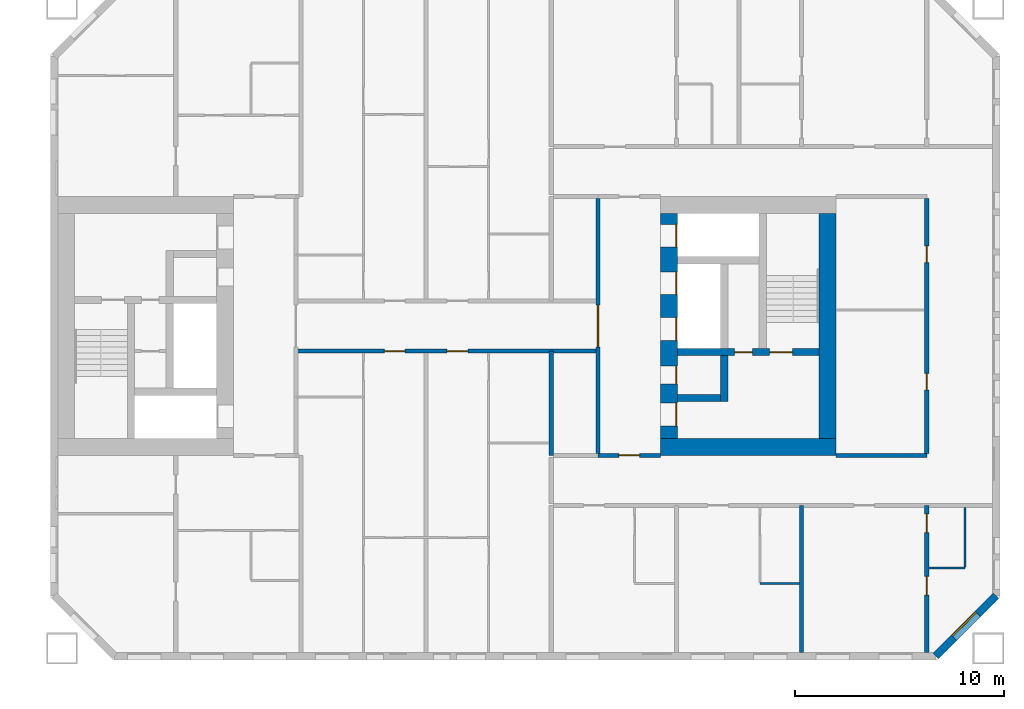
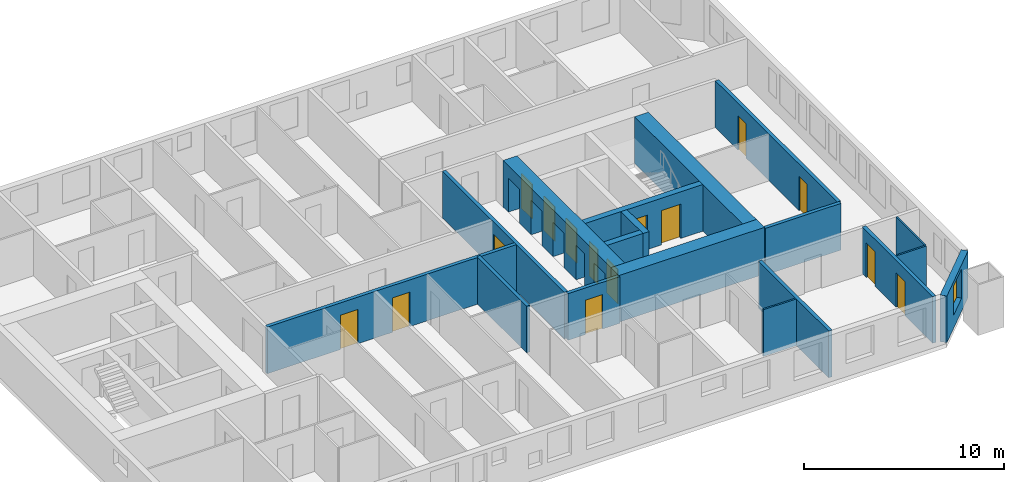
# One storey, part 14 of 19: 18 walls, 15 doors, 1 window, 16 openings.
"""IFC4 building model written with IfcOpenShell, lengths in metres."""

from ifc_helpers import new_model, si_unit, direction, frame, frame_2d, origin, place, context, subcontext, project, spatial, rectangle, extrude, material, layer, layer_set, type_object, element, fill, save


model = new_model("IFC4")

# Units and contexts
model_context = context("Model", 3, precision=1e-05, world=origin(), true_north=direction((0.0, 1.0)))
body_context = subcontext(model_context, "Body", "Model", "MODEL_VIEW")
ifc_project = project(units=[si_unit("LENGTHUNIT", "METRE"), si_unit("AREAUNIT", "SQUARE_METRE"), si_unit("VOLUMEUNIT", "CUBIC_METRE"), si_unit("PLANEANGLEUNIT", "RADIAN"), si_unit("MASSUNIT", "GRAM", prefix="KILO")], contexts=[model_context])

# Site, building, storey
site_placement = place(None, origin())
site = spatial("IfcSite", under=ifc_project, at=site_placement, CompositionType="ELEMENT")
building_placement = place(site_placement, origin())
building = spatial("IfcBuilding", under=site, at=building_placement, Name="Tuart Gate Housing", CompositionType="ELEMENT")
storey_placement = place(building_placement, frame((0.0, 0.0, 56.699951171875)))
storey = spatial("IfcBuildingStorey", under=building, at=storey_placement, Name="L15", CompositionType="ELEMENT", Elevation=56.699951171875)

# Wall, opening, window
ifc_material_1 = material(Name="Brick", Category="masonry")
ifc_layer_1 = layer(ifc_material_1, 0.360107421875)
ifc_layer_set_1 = layer_set([ifc_layer_1], Name="Brick pier and spandrel wall 360")
wall_type_1 = type_object("IfcWallType", Name="Brick pier and spandrel wall 360", PredefinedType="STANDARD", material=ifc_layer_set_1)
wall_1_placement = place(storey_placement, frame((173.42529296875, 54.179931640625, 0.0), z_axis=(0.0, 0.0, 1.0), x_axis=(0.707106781187, 0.707106781187, 0.0)))
wall_1 = element("IfcWall", 1, at=wall_1_placement, inside=storey, type_object=wall_type_1, Name="External wall B-SE L15", PredefinedType="STANDARD", context=body_context, shape_type="SweptSolid", body=[
    extrude(rectangle(XDim=4.09375, YDim=0.360107421875, at=frame_2d((2.046875, 0.0))), origin(), (0.0, 0.0, 1.0), 2.85009765625),
])
opening_1_placement = place(wall_1_placement, frame((1.2470703125, 0.0, 0.800048828125)))
opening_1 = element("IfcOpeningElement", 2, at=opening_1_placement, cuts=wall_1, Name="Opening W1", PredefinedType="OPENING", context=body_context, shape_type="SweptSolid", body=[
    extrude(rectangle(XDim=1.60009765625, YDim=1.800048828125, at=frame_2d((0.800048828125, 0.89990234375))), frame((0.0, 0.18994140625, 0.0), z_axis=(0.0, -1.0, 0.0), x_axis=(1.0, 0.0, 0.0)), (0.0, 0.0, 1.0), 0.380126953125),
])
ifc_material_2 = material(Name="Aluminium frame with clear glass", Category="aluminium")
window_type = type_object("IfcWindowType", Name="Punched window 1600 x 1800", PartitioningType="SINGLE_PANEL", PredefinedType="WINDOW", material=ifc_material_2)
window_placement = place(opening_1_placement, origin())
window = element("IfcWindow", 3, at=window_placement, inside=storey, type_object=window_type, Name="Window W1", OverallHeight=1.800048828125, OverallWidth=1.60009765625, PartitioningType="SINGLE_PANEL", PredefinedType="WINDOW", context=body_context, shape_type="SweptSolid", body=[
    extrude(rectangle(XDim=1.60009765625, YDim=1.800048828125, at=frame_2d((0.800048828125, 0.89990234375))), frame((0.0, 0.150146484375, 0.0), z_axis=(0.0, -1.0, 0.0), x_axis=(1.0, 0.0, 0.0)), (0.0, 0.0, 1.0), 0.06005859375),
])
fill(opening_1, window)

# Wall, openings, doors
ifc_material_3 = material(Name="Concrete C60", Category="concrete")
ifc_layer_2 = layer(ifc_material_3, 0.35009765625)
ifc_layer_set_2 = layer_set([ifc_layer_2], Name="Core wall 350 C60")
wall_type_2 = type_object("IfcWallType", Name="Core wall 350 C60", PredefinedType="SHEAR", material=ifc_layer_set_2)
wall_2_placement = place(storey_placement, frame((161.0400390625, 68.75, 0.0), z_axis=(0.0, 0.0, 1.0), x_axis=(1.0, 0.0, 0.0)))
wall_2 = element("IfcWall", 4, at=wall_2_placement, inside=storey, type_object=wall_type_2, Name="Core wall BK.2", PredefinedType="SHEAR", context=body_context, shape_type="SweptSolid", body=[
    extrude(rectangle(XDim=6.800048828125, YDim=0.35009765625, at=frame_2d((3.39990234375, 0.0))), origin(), (0.0, 0.0, 1.0), 2.85009765625),
])
opening_2_placement = place(wall_2_placement, frame((4.425048828125, 0.0, 0.0)))
opening_2 = element("IfcOpeningElement", 5, at=opening_2_placement, cuts=wall_2, Name="Opening D813", PredefinedType="OPENING", context=body_context, shape_type="SweptSolid", body=[
    extrude(rectangle(XDim=1.10009765625, YDim=2.10009765625, at=frame_2d((0.550048828125, 1.050048828125))), frame((0.0, 0.18505859375, 0.0), z_axis=(0.0, -1.0, 0.0), x_axis=(1.0, 0.0, 0.0)), (0.0, 0.0, 1.0), 0.3701171875),
])
opening_3_placement = place(wall_2_placement, frame((2.75, 0.0, 0.0)))
opening_3 = element("IfcOpeningElement", 6, at=opening_3_placement, cuts=wall_2, Name="Opening D812", PredefinedType="OPENING", context=body_context, shape_type="SweptSolid", body=[
    extrude(rectangle(XDim=0.85009765625, YDim=2.10009765625, at=frame_2d((0.425048828125, 1.050048828125))), frame((0.0, 0.18505859375, 0.0), z_axis=(0.0, -1.0, 0.0), x_axis=(1.0, 0.0, 0.0)), (0.0, 0.0, 1.0), 0.3701171875),
])
ifc_material_4 = material(Name="Steel fire door", Category="steel")
door_type_1 = type_object("IfcDoorType", Name="Riser door 850 x 2100", OperationType="SINGLE_SWING_LEFT", PredefinedType="DOOR", material=ifc_material_4)
door_1_placement = place(opening_3_placement, origin())
door_1 = element("IfcDoor", 7, at=door_1_placement, inside=storey, type_object=door_type_1, Name="Service room door BK.W1", OperationType="SINGLE_SWING_LEFT", OverallHeight=2.10009765625, OverallWidth=0.85009765625, PredefinedType="DOOR", context=body_context, shape_type="SweptSolid", body=[
    extrude(rectangle(XDim=0.85009765625, YDim=2.10009765625, at=frame_2d((0.425048828125, 1.050048828125))), frame((0.0, 0.02490234375, 0.0), z_axis=(0.0, -1.0, 0.0), x_axis=(1.0, 0.0, 0.0)), (0.0, 0.0, 1.0), 0.050048828125),
])
fill(opening_3, door_1)
ifc_material_5 = material(Name="Steel fire door", Category="steel")
door_type_2 = type_object("IfcDoorType", Name="Stair door 1100 x 2100", OperationType="SINGLE_SWING_LEFT", PredefinedType="DOOR", material=ifc_material_5)
door_2_placement = place(opening_2_placement, origin())
door_2 = element("IfcDoor", 8, at=door_2_placement, inside=storey, type_object=door_type_2, Name="Stair door BK.SD", OperationType="SINGLE_SWING_LEFT", OverallHeight=2.10009765625, OverallWidth=1.10009765625, PredefinedType="DOOR", context=body_context, shape_type="SweptSolid", body=[
    extrude(rectangle(XDim=1.10009765625, YDim=2.10009765625, at=frame_2d((0.550048828125, 1.050048828125))), frame((0.0, 0.02490234375, 0.0), z_axis=(0.0, -1.0, 0.0), x_axis=(1.0, 0.0, 0.0)), (0.0, 0.0, 1.0), 0.050048828125),
])
fill(opening_2, door_2)

# Walls
wall_3_placement = place(storey_placement, frame((161.0400390625, 66.550048828125, 0.0), z_axis=(0.0, 0.0, 1.0), x_axis=(1.0, 0.0, 0.0)))
element("IfcWall", 9, at=wall_3_placement, inside=storey, type_object=wall_type_2, Name="Core wall BK.3", PredefinedType="SHEAR", context=body_context, shape_type="SweptSolid", body=[
    extrude(rectangle(XDim=2.074951171875, YDim=0.35009765625, at=frame_2d((1.03759765625, 0.0))), origin(), (0.0, 0.0, 1.0), 2.85009765625),
])
wall_4_placement = place(storey_placement, frame((163.2900390625, 68.574951171875, 0.0), z_axis=(0.0, 0.0, 1.0), x_axis=(0.0, -1.0, 0.0)))
element("IfcWall", 10, at=wall_4_placement, inside=storey, type_object=wall_type_2, Name="Core wall BK.5", PredefinedType="SHEAR", context=body_context, shape_type="SweptSolid", body=[
    extrude(rectangle(XDim=2.199951171875, YDim=0.35009765625, at=frame_2d((1.10009765625, 0.0))), origin(), (0.0, 0.0, 1.0), 2.85009765625),
])

# Wall, openings, doors
ifc_material_6 = material(Name="Concrete C60", Category="concrete")
ifc_layer_3 = layer(ifc_material_6, 0.800048828125)
ifc_layer_set_3 = layer_set([ifc_layer_3], Name="Core wall 800 C60")
wall_type_3 = type_object("IfcWallType", Name="Core wall 800 C60", PredefinedType="SHEAR", material=ifc_layer_set_3)
wall_5_placement = place(storey_placement, frame((160.639892578125, 75.39990234375, 0.0), z_axis=(0.0, 0.0, 1.0), x_axis=(0.0, -1.0, 0.0)))
wall_5 = element("IfcWall", 11, at=wall_5_placement, inside=storey, type_object=wall_type_3, Name="Core wall BK front", PredefinedType="SHEAR", context=body_context, shape_type="SweptSolid", body=[
    extrude(rectangle(XDim=10.7998046875, YDim=0.800048828125, at=frame_2d((5.39990234375, 0.0))), origin(), (0.0, 0.0, 1.0), 2.85009765625),
])
opening_4_placement = place(wall_5_placement, frame((0.52490234375, 0.0, 0.0)))
opening_4 = element("IfcOpeningElement", 12, at=opening_4_placement, cuts=wall_5, Name="Opening LD-FB2", PredefinedType="OPENING", context=body_context, shape_type="SweptSolid", body=[
    extrude(rectangle(XDim=1.10009765625, YDim=2.10009765625, at=frame_2d((0.550048828125, 1.050048828125))), frame((0.0, 0.409912109375, 0.0), z_axis=(0.0, -1.0, 0.0), x_axis=(1.0, 0.0, 0.0)), (0.0, 0.0, 1.0), 0.820068359375),
])
opening_5_placement = place(wall_5_placement, frame((2.800048828125, 0.0, 0.0)))
opening_5 = element("IfcOpeningElement", 13, at=opening_5_placement, cuts=wall_5, Name="Opening LD-LB3", PredefinedType="OPENING", context=body_context, shape_type="SweptSolid", body=[
    extrude(rectangle(XDim=1.10009765625, YDim=2.10009765625, at=frame_2d((0.550048828125, 1.050048828125))), frame((0.0, 0.409912109375, 0.0), z_axis=(0.0, -1.0, 0.0), x_axis=(1.0, 0.0, 0.0)), (0.0, 0.0, 1.0), 0.820068359375),
])
opening_6_placement = place(wall_5_placement, frame((5.0, 0.0, 0.0)))
opening_6 = element("IfcOpeningElement", 14, at=opening_6_placement, cuts=wall_5, Name="Opening LD-LB4", PredefinedType="OPENING", context=body_context, shape_type="SweptSolid", body=[
    extrude(rectangle(XDim=1.10009765625, YDim=2.10009765625, at=frame_2d((0.550048828125, 1.050048828125))), frame((0.0, 0.409912109375, 0.0), z_axis=(0.0, -1.0, 0.0), x_axis=(1.0, 0.0, 0.0)), (0.0, 0.0, 1.0), 0.820068359375),
])
opening_7_placement = place(wall_5_placement, frame((9.10009765625, 0.0, 0.0)))
opening_7 = element("IfcOpeningElement", 15, at=opening_7_placement, cuts=wall_5, Name="Opening D805", PredefinedType="OPENING", context=body_context, shape_type="SweptSolid", body=[
    extrude(rectangle(XDim=1.10009765625, YDim=2.10009765625, at=frame_2d((0.550048828125, 1.050048828125))), frame((0.0, 0.409912109375, 0.0), z_axis=(0.0, -1.0, 0.0), x_axis=(1.0, 0.0, 0.0)), (0.0, 0.0, 1.0), 0.820068359375),
])
opening_8_placement = place(wall_5_placement, frame((7.324951171875, 0.0, 0.0)))
opening_8 = element("IfcOpeningElement", 16, at=opening_8_placement, cuts=wall_5, Name="Opening D806", PredefinedType="OPENING", context=body_context, shape_type="SweptSolid", body=[
    extrude(rectangle(XDim=0.85009765625, YDim=2.10009765625, at=frame_2d((0.425048828125, 1.050048828125))), frame((0.0, 0.409912109375, 0.0), z_axis=(0.0, -1.0, 0.0), x_axis=(1.0, 0.0, 0.0)), (0.0, 0.0, 1.0), 0.820068359375),
])
ifc_material_7 = material(Name="Stainless steel", Category="steel")
door_type_3 = type_object("IfcDoorType", Name="Landing door 1100 x 2100", OperationType="DOUBLE_DOOR_SLIDING", PredefinedType="DOOR", material=ifc_material_7)
door_3_placement = place(opening_4_placement, origin())
door_3 = element("IfcDoor", 17, at=door_3_placement, inside=storey, type_object=door_type_3, Name="Lift landing door FB2", OperationType="DOUBLE_DOOR_SLIDING", OverallHeight=2.10009765625, OverallWidth=1.10009765625, PredefinedType="DOOR", context=body_context, shape_type="SweptSolid", body=[
    extrude(rectangle(XDim=1.10009765625, YDim=2.10009765625, at=frame_2d((0.550048828125, 1.050048828125))), frame((0.0, 0.38525390625, 0.0), z_axis=(0.0, -1.0, 0.0), x_axis=(1.0, 0.0, 0.0)), (0.0, 0.0, 1.0), 0.050048828125),
])
fill(opening_4, door_3)
door_4_placement = place(opening_5_placement, origin())
door_4 = element("IfcDoor", 18, at=door_4_placement, inside=storey, type_object=door_type_3, Name="Lift landing door LB3", OperationType="DOUBLE_DOOR_SLIDING", OverallHeight=2.10009765625, OverallWidth=1.10009765625, PredefinedType="DOOR", context=body_context, shape_type="SweptSolid", body=[
    extrude(rectangle(XDim=1.10009765625, YDim=2.10009765625, at=frame_2d((0.550048828125, 1.050048828125))), frame((0.0, 0.38525390625, 0.0), z_axis=(0.0, -1.0, 0.0), x_axis=(1.0, 0.0, 0.0)), (0.0, 0.0, 1.0), 0.050048828125),
])
fill(opening_5, door_4)
door_5_placement = place(opening_6_placement, origin())
door_5 = element("IfcDoor", 19, at=door_5_placement, inside=storey, type_object=door_type_3, Name="Lift landing door LB4", OperationType="DOUBLE_DOOR_SLIDING", OverallHeight=2.10009765625, OverallWidth=1.10009765625, PredefinedType="DOOR", context=body_context, shape_type="SweptSolid", body=[
    extrude(rectangle(XDim=1.10009765625, YDim=2.10009765625, at=frame_2d((0.550048828125, 1.050048828125))), frame((0.0, 0.38525390625, 0.0), z_axis=(0.0, -1.0, 0.0), x_axis=(1.0, 0.0, 0.0)), (0.0, 0.0, 1.0), 0.050048828125),
])
fill(opening_6, door_5)
ifc_material_8 = material(Name="Steel fire door", Category="steel")
door_type_4 = type_object("IfcDoorType", Name="Lobby door 1100 x 2100", OperationType="SINGLE_SWING_LEFT", PredefinedType="DOOR", material=ifc_material_8)
door_6_placement = place(opening_7_placement, origin())
door_6 = element("IfcDoor", 20, at=door_6_placement, inside=storey, type_object=door_type_4, Name="Lobby entry door BK.EN", OperationType="SINGLE_SWING_LEFT", OverallHeight=2.10009765625, OverallWidth=1.10009765625, PredefinedType="DOOR", context=body_context, shape_type="SweptSolid", body=[
    extrude(rectangle(XDim=1.10009765625, YDim=2.10009765625, at=frame_2d((0.550048828125, 1.050048828125))), frame((0.0, 0.38525390625, 0.0), z_axis=(0.0, -1.0, 0.0), x_axis=(1.0, 0.0, 0.0)), (0.0, 0.0, 1.0), 0.050048828125),
])
fill(opening_7, door_6)
ifc_material_9 = material(Name="Steel fire door", Category="steel")
door_type_5 = type_object("IfcDoorType", Name="Service door 850 x 2100", OperationType="SINGLE_SWING_LEFT", PredefinedType="DOOR", material=ifc_material_9)
door_7_placement = place(opening_8_placement, origin())
door_7 = element("IfcDoor", 21, at=door_7_placement, inside=storey, type_object=door_type_5, Name="Service room door BK.T1", OperationType="SINGLE_SWING_LEFT", OverallHeight=2.10009765625, OverallWidth=0.85009765625, PredefinedType="DOOR", context=body_context, shape_type="SweptSolid", body=[
    extrude(rectangle(XDim=0.85009765625, YDim=2.10009765625, at=frame_2d((0.425048828125, 1.050048828125))), frame((0.0, 0.38525390625, 0.0), z_axis=(0.0, -1.0, 0.0), x_axis=(1.0, 0.0, 0.0)), (0.0, 0.0, 1.0), 0.050048828125),
])
fill(opening_8, door_7)

# Walls
wall_6_placement = place(storey_placement, frame((168.239990234375, 75.39990234375, 0.0), z_axis=(0.0, 0.0, 1.0), x_axis=(0.0, -1.0, 0.0)))
element("IfcWall", 22, at=wall_6_placement, inside=storey, type_object=wall_type_3, Name="Core wall BK back", PredefinedType="SHEAR", context=body_context, shape_type="SweptSolid", body=[
    extrude(rectangle(XDim=10.7998046875, YDim=0.800048828125, at=frame_2d((5.39990234375, 0.0))), origin(), (0.0, 0.0, 1.0), 2.85009765625),
])
wall_7_placement = place(storey_placement, frame((160.239990234375, 64.199951171875, 0.0), z_axis=(0.0, 0.0, 1.0), x_axis=(1.0, 0.0, 0.0)))
element("IfcWall", 23, at=wall_7_placement, inside=storey, type_object=wall_type_3, Name="Core wall BK north", PredefinedType="SHEAR", context=body_context, shape_type="SweptSolid", body=[
    extrude(rectangle(XDim=8.39990234375, YDim=0.800048828125, at=frame_2d((4.199951171875, 0.0))), origin(), (0.0, 0.0, 1.0), 2.85009765625),
])
ifc_material_10 = material(Name="Concrete masonry 15 MPa", Category="masonry")
ifc_layer_4 = layer(ifc_material_10, 0.199951171875)
ifc_layer_set_4 = layer_set([ifc_layer_4], Name="Corridor wall masonry 200")
wall_type_4 = type_object("IfcWallType", Name="Corridor wall masonry 200", PredefinedType="PARTITIONING", material=ifc_layer_set_4)
wall_8_placement = place(storey_placement, frame((168.639892578125, 63.800048828125, 0.0), z_axis=(0.0, 0.0, 1.0), x_axis=(1.0, 0.0, 0.0)))
element("IfcWall", 24, at=wall_8_placement, inside=storey, type_object=wall_type_4, Name="Corridor wall masonry 200", PredefinedType="PARTITIONING", context=body_context, shape_type="SweptSolid", body=[
    extrude(rectangle(XDim=4.360107421875, YDim=0.199951171875, at=frame_2d((2.18017578125, 0.0))), origin(), (0.0, 0.0, 1.0), 2.85009765625),
])

# Wall, openings, doors
wall_9_placement = place(storey_placement, frame((142.760009765625, 68.800048828125, 0.0), z_axis=(0.0, 0.0, 1.0), x_axis=(1.0, 0.0, 0.0)))
wall_9 = element("IfcWall", 25, at=wall_9_placement, inside=storey, type_object=wall_type_4, Name="Corridor wall masonry 200", PredefinedType="PARTITIONING", context=body_context, shape_type="SweptSolid", body=[
    extrude(rectangle(XDim=14.47998046875, YDim=0.199951171875, at=frame_2d((7.239990234375, 0.0))), origin(), (0.0, 0.0, 1.0), 2.85009765625),
])
opening_9_placement = place(wall_9_placement, frame((4.239990234375, 0.0, 0.0)))
opening_9 = element("IfcOpeningElement", 26, at=opening_9_placement, cuts=wall_9, Name="Opening D810", PredefinedType="OPENING", context=body_context, shape_type="SweptSolid", body=[
    extrude(rectangle(XDim=1.0, YDim=2.10009765625, at=frame_2d((0.5, 1.050048828125))), frame((0.0, 0.10986328125, 0.0), z_axis=(0.0, -1.0, 0.0), x_axis=(1.0, 0.0, 0.0)), (0.0, 0.0, 1.0), 0.219970703125),
])
opening_10_placement = place(wall_9_placement, frame((7.239990234375, 0.0, 0.0)))
opening_10 = element("IfcOpeningElement", 27, at=opening_10_placement, cuts=wall_9, Name="Opening D811", PredefinedType="OPENING", context=body_context, shape_type="SweptSolid", body=[
    extrude(rectangle(XDim=1.0, YDim=2.10009765625, at=frame_2d((0.5, 1.050048828125))), frame((0.0, 0.10986328125, 0.0), z_axis=(0.0, -1.0, 0.0), x_axis=(1.0, 0.0, 0.0)), (0.0, 0.0, 1.0), 0.219970703125),
])
ifc_material_11 = material(Name="Timber door leaf in steel frame", Category="steel")
door_type_6 = type_object("IfcDoorType", Name="Flat entrance door 1000 RH", OperationType="SINGLE_SWING_RIGHT", PredefinedType="DOOR", material=ifc_material_11)
door_8_placement = place(opening_9_placement, frame((1.0, 0.0, 0.0), z_axis=(0.0, 0.0, 1.0), x_axis=(-1.0, 0.0, 0.0)))
door_8 = element("IfcDoor", 28, at=door_8_placement, inside=storey, type_object=door_type_6, Name="Flat entrance door", OperationType="SINGLE_SWING_RIGHT", OverallHeight=2.10009765625, OverallWidth=1.0, PredefinedType="DOOR", context=body_context, shape_type="SweptSolid", body=[
    extrude(rectangle(XDim=1.0, YDim=2.10009765625, at=frame_2d((0.5, 1.050048828125))), frame((0.0, 0.025146484375, 0.0), z_axis=(0.0, -1.0, 0.0), x_axis=(1.0, 0.0, 0.0)), (0.0, 0.0, 1.0), 0.050048828125),
])
fill(opening_9, door_8)
door_9_placement = place(opening_10_placement, frame((1.0, 0.0, 0.0), z_axis=(0.0, 0.0, 1.0), x_axis=(-1.0, 0.0, 0.0)))
door_9 = element("IfcDoor", 29, at=door_9_placement, inside=storey, type_object=door_type_6, Name="Flat entrance door", OperationType="SINGLE_SWING_RIGHT", OverallHeight=2.10009765625, OverallWidth=1.0, PredefinedType="DOOR", context=body_context, shape_type="SweptSolid", body=[
    extrude(rectangle(XDim=1.0, YDim=2.10009765625, at=frame_2d((0.5, 1.050048828125))), frame((0.0, 0.025146484375, 0.0), z_axis=(0.0, -1.0, 0.0), x_axis=(1.0, 0.0, 0.0)), (0.0, 0.0, 1.0), 0.050048828125),
])
fill(opening_10, door_9)

wall_10_placement = place(storey_placement, frame((173.0, 63.89990234375, 0.0), z_axis=(0.0, 0.0, 1.0), x_axis=(0.0, 1.0, 0.0)))
wall_10 = element("IfcWall", 30, at=wall_10_placement, inside=storey, type_object=wall_type_4, Name="Corridor wall masonry 200", PredefinedType="PARTITIONING", context=body_context, shape_type="SweptSolid", body=[
    extrude(rectangle(XDim=12.2001953125, YDim=0.199951171875, at=frame_2d((6.10009765625, 0.0))), origin(), (0.0, 0.0, 1.0), 2.85009765625),
])
opening_11_placement = place(wall_10_placement, frame((3.034912109375, 0.0, 0.0)))
opening_11 = element("IfcOpeningElement", 31, at=opening_11_placement, cuts=wall_10, Name="Opening D807", PredefinedType="OPENING", context=body_context, shape_type="SweptSolid", body=[
    extrude(rectangle(XDim=0.800048828125, YDim=2.10009765625, at=frame_2d((0.39990234375, 1.050048828125))), frame((0.0, 0.10986328125, 0.0), z_axis=(0.0, -1.0, 0.0), x_axis=(1.0, 0.0, 0.0)), (0.0, 0.0, 1.0), 0.219970703125),
])
opening_12_placement = place(wall_10_placement, frame((9.135009765625, 0.0, 0.0)))
opening_12 = element("IfcOpeningElement", 32, at=opening_12_placement, cuts=wall_10, Name="Opening D808", PredefinedType="OPENING", context=body_context, shape_type="SweptSolid", body=[
    extrude(rectangle(XDim=0.800048828125, YDim=2.10009765625, at=frame_2d((0.39990234375, 1.050048828125))), frame((0.0, 0.10986328125, 0.0), z_axis=(0.0, -1.0, 0.0), x_axis=(1.0, 0.0, 0.0)), (0.0, 0.0, 1.0), 0.219970703125),
])
ifc_material_12 = material(Name="Timber door leaf in steel frame", Category="steel")
door_type_7 = type_object("IfcDoorType", Name="Store door 800", OperationType="SINGLE_SWING_LEFT", PredefinedType="DOOR", material=ifc_material_12)
door_10_placement = place(opening_12_placement, origin())
door_10 = element("IfcDoor", 33, at=door_10_placement, inside=storey, type_object=door_type_7, Name="Store door", OperationType="SINGLE_SWING_LEFT", OverallHeight=2.10009765625, OverallWidth=0.800048828125, PredefinedType="DOOR", context=body_context, shape_type="SweptSolid", body=[
    extrude(rectangle(XDim=0.800048828125, YDim=2.10009765625, at=frame_2d((0.39990234375, 1.050048828125))), frame((0.0, 0.02490234375, 0.0), z_axis=(0.0, -1.0, 0.0), x_axis=(1.0, 0.0, 0.0)), (0.0, 0.0, 1.0), 0.050048828125),
])
fill(opening_12, door_10)
ifc_material_13 = material(Name="Timber door leaf in steel frame", Category="steel")
door_type_8 = type_object("IfcDoorType", Name="Store door 800 RH", OperationType="SINGLE_SWING_RIGHT", PredefinedType="DOOR", material=ifc_material_13)
door_11_placement = place(opening_11_placement, origin())
door_11 = element("IfcDoor", 34, at=door_11_placement, inside=storey, type_object=door_type_8, Name="Store door", OperationType="SINGLE_SWING_RIGHT", OverallHeight=2.10009765625, OverallWidth=0.800048828125, PredefinedType="DOOR", context=body_context, shape_type="SweptSolid", body=[
    extrude(rectangle(XDim=0.800048828125, YDim=2.10009765625, at=frame_2d((0.39990234375, 1.050048828125))), frame((0.0, 0.02490234375, 0.0), z_axis=(0.0, -1.0, 0.0), x_axis=(1.0, 0.0, 0.0)), (0.0, 0.0, 1.0), 0.050048828125),
])
fill(opening_11, door_11)

# Wall, opening, door
ifc_material_14 = material(Name="Concrete masonry 15 MPa", Category="masonry")
ifc_layer_5 = layer(ifc_material_14, 0.199951171875)
ifc_layer_set_5 = layer_set([ifc_layer_5], Name="Enclosure wall masonry 200")
wall_type_5 = type_object("IfcWallType", Name="Enclosure wall masonry 200", PredefinedType="PARTITIONING", material=ifc_layer_set_5)
wall_11_placement = place(storey_placement, frame((157.239990234375, 63.800048828125, 0.0), z_axis=(0.0, 0.0, 1.0), x_axis=(1.0, 0.0, 0.0)))
wall_11 = element("IfcWall", 35, at=wall_11_placement, inside=storey, type_object=wall_type_5, Name="Enclosure wall masonry 200", PredefinedType="PARTITIONING", context=body_context, shape_type="SweptSolid", body=[
    extrude(rectangle(XDim=3.0, YDim=0.199951171875, at=frame_2d((1.5, 0.0))), origin(), (0.0, 0.0, 1.0), 2.85009765625),
])
opening_13_placement = place(wall_11_placement, frame((1.0, 0.0, 0.0)))
opening_13 = element("IfcOpeningElement", 36, at=opening_13_placement, cuts=wall_11, Name="Opening D815", PredefinedType="OPENING", context=body_context, shape_type="SweptSolid", body=[
    extrude(rectangle(XDim=1.0, YDim=2.10009765625, at=frame_2d((0.5, 1.050048828125))), frame((0.0, 0.10986328125, 0.0), z_axis=(0.0, -1.0, 0.0), x_axis=(1.0, 0.0, 0.0)), (0.0, 0.0, 1.0), 0.219970703125),
])
ifc_material_15 = material(Name="Timber door leaf in steel frame", Category="steel")
door_type_9 = type_object("IfcDoorType", Name="Fire door 1000 RH", OperationType="SINGLE_SWING_RIGHT", PredefinedType="DOOR", material=ifc_material_15)
door_12_placement = place(opening_13_placement, frame((1.0, 0.0, 0.0), z_axis=(0.0, 0.0, 1.0), x_axis=(-1.0, 0.0, 0.0)))
door_12 = element("IfcDoor", 37, at=door_12_placement, inside=storey, type_object=door_type_9, Name="Fire door", OperationType="SINGLE_SWING_RIGHT", OverallHeight=2.10009765625, OverallWidth=1.0, PredefinedType="DOOR", context=body_context, shape_type="SweptSolid", body=[
    extrude(rectangle(XDim=1.0, YDim=2.10009765625, at=frame_2d((0.5, 1.050048828125))), frame((0.0, 0.025146484375, 0.0), z_axis=(0.0, -1.0, 0.0), x_axis=(1.0, 0.0, 0.0)), (0.0, 0.0, 1.0), 0.050048828125),
])
fill(opening_13, door_12)

ifc_material_16 = material(Name="Plasterboard partition")
ifc_layer_6 = layer(ifc_material_16, 0.199951171875)
ifc_layer_set_6 = layer_set([ifc_layer_6], Name="Lobby wall 200")
wall_type_6 = type_object("IfcWallType", Name="Lobby wall 200", PredefinedType="PARTITIONING", material=ifc_layer_set_6)
wall_12_placement = place(storey_placement, frame((157.239990234375, 63.89990234375, 0.0), z_axis=(0.0, 0.0, 1.0), x_axis=(0.0, 1.0, 0.0)))
wall_12 = element("IfcWall", 38, at=wall_12_placement, inside=storey, type_object=wall_type_6, Name="Lift lobby wall BK", PredefinedType="PARTITIONING", context=body_context, shape_type="SweptSolid", body=[
    extrude(rectangle(XDim=12.2001953125, YDim=0.199951171875, at=frame_2d((6.10009765625, 0.0))), origin(), (0.0, 0.0, 1.0), 2.85009765625),
])
opening_14_placement = place(wall_12_placement, frame((5.10009765625, 0.0, 0.0)))
opening_14 = element("IfcOpeningElement", 39, at=opening_14_placement, cuts=wall_12, Name="Opening D804", PredefinedType="OPENING", context=body_context, shape_type="SweptSolid", body=[
    extrude(rectangle(XDim=2.0, YDim=2.10009765625, at=frame_2d((1.0, 1.050048828125))), frame((0.0, 0.10986328125, 0.0), z_axis=(0.0, -1.0, 0.0), x_axis=(1.0, 0.0, 0.0)), (0.0, 0.0, 1.0), 0.219970703125),
])
ifc_material_17 = material(Name="Steel fire door", Category="steel")
door_type_10 = type_object("IfcDoorType", Name="Smoke door 2000 x 2100", OperationType="DOUBLE_DOOR_SINGLE_SWING", PredefinedType="DOOR", material=ifc_material_17)
door_13_placement = place(opening_14_placement, frame((2.0, 0.0, 0.0), z_axis=(0.0, 0.0, 1.0), x_axis=(-1.0, 0.0, 0.0)))
door_13 = element("IfcDoor", 40, at=door_13_placement, inside=storey, type_object=door_type_10, Name="Lift lobby smoke door BK", OperationType="DOUBLE_DOOR_SINGLE_SWING", OverallHeight=2.10009765625, OverallWidth=2.0, PredefinedType="DOOR", context=body_context, shape_type="SweptSolid", body=[
    extrude(rectangle(XDim=2.0, YDim=2.10009765625, at=frame_2d((1.0, 1.050048828125))), frame((0.0, 0.025146484375, 0.0), z_axis=(0.0, -1.0, 0.0), x_axis=(1.0, 0.0, 0.0)), (0.0, 0.0, 1.0), 0.050048828125),
])
fill(opening_14, door_13)

# Walls
ifc_material_18 = material(Name="Gypsum board on steel studs", Category="steel")
ifc_layer_7 = layer(ifc_material_18, 0.10009765625)
ifc_layer_set_7 = layer_set([ifc_layer_7], Name="Partition 100")
wall_type_7 = type_object("IfcWallType", Name="Partition 100", PredefinedType="PARTITIONING", material=ifc_layer_set_7)
wall_13_placement = place(storey_placement, frame((165.0, 57.64990234375, 0.0), z_axis=(0.0, 0.0, 1.0), x_axis=(1.0, 0.0, 0.0)))
element("IfcWall", 41, at=wall_13_placement, inside=storey, type_object=wall_type_7, Name="Partition 100", PredefinedType="PARTITIONING", context=body_context, shape_type="SweptSolid", body=[
    extrude(rectangle(XDim=1.89990234375, YDim=0.10009765625, at=frame_2d((0.949951171875, 0.0))), origin(), (0.0, 0.0, 1.0), 2.85009765625),
])
wall_14_placement = place(storey_placement, frame((173.10009765625, 58.39990234375, 0.0), z_axis=(0.0, 0.0, 1.0), x_axis=(1.0, 0.0, 0.0)))
element("IfcWall", 42, at=wall_14_placement, inside=storey, type_object=wall_type_7, Name="Partition 100", PredefinedType="PARTITIONING", context=body_context, shape_type="SweptSolid", body=[
    extrude(rectangle(XDim=1.739990234375, YDim=0.10009765625, at=frame_2d((0.8701171875, 0.0))), origin(), (0.0, 0.0, 1.0), 2.85009765625),
])
wall_15_placement = place(storey_placement, frame((174.840087890625, 58.449951171875, 0.0), z_axis=(0.0, 0.0, 1.0), x_axis=(0.0, 1.0, 0.0)))
element("IfcWall", 43, at=wall_15_placement, inside=storey, type_object=wall_type_7, Name="Partition 100", PredefinedType="PARTITIONING", context=body_context, shape_type="SweptSolid", body=[
    extrude(rectangle(XDim=2.85009765625, YDim=0.10009765625, at=frame_2d((1.425048828125, 0.0))), origin(), (0.0, 0.0, 1.0), 2.85009765625),
])
ifc_material_19 = material(Name="Concrete C40", Category="concrete")
ifc_layer_8 = layer(ifc_material_19, 0.199951171875)
ifc_layer_set_8 = layer_set([ifc_layer_8], Name="Party wall concrete C40 200")
wall_type_8 = type_object("IfcWallType", Name="Party wall concrete C40 200", PredefinedType="SOLIDWALL", material=ifc_layer_set_8)
wall_16_placement = place(storey_placement, frame((155.0, 63.800048828125, 0.0), z_axis=(0.0, 0.0, 1.0), x_axis=(0.0, 1.0, 0.0)))
element("IfcWall", 44, at=wall_16_placement, inside=storey, type_object=wall_type_8, Name="Party wall concrete C40 200", PredefinedType="SOLIDWALL", context=body_context, shape_type="SweptSolid", body=[
    extrude(rectangle(XDim=5.0, YDim=0.199951171875, at=frame_2d((2.5, 0.0))), origin(), (0.0, 0.0, 1.0), 2.85009765625),
])
wall_17_placement = place(storey_placement, frame((167.0, 54.360107421875, 0.0), z_axis=(0.0, 0.0, 1.0), x_axis=(0.0, 1.0, 0.0)))
element("IfcWall", 45, at=wall_17_placement, inside=storey, type_object=wall_type_8, Name="Party wall concrete C40 200", PredefinedType="SOLIDWALL", context=body_context, shape_type="SweptSolid", body=[
    extrude(rectangle(XDim=7.039794921875, YDim=0.199951171875, at=frame_2d((3.52001953125, 0.0))), origin(), (0.0, 0.0, 1.0), 2.85009765625),
])

# Wall, openings, doors
wall_18_placement = place(storey_placement, frame((173.0, 54.360107421875, 0.0), z_axis=(0.0, 0.0, 1.0), x_axis=(0.0, 1.0, 0.0)))
wall_18 = element("IfcWall", 46, at=wall_18_placement, inside=storey, type_object=wall_type_8, Name="Party wall concrete C40 200", PredefinedType="SOLIDWALL", context=body_context, shape_type="SweptSolid", body=[
    extrude(rectangle(XDim=7.039794921875, YDim=0.199951171875, at=frame_2d((3.52001953125, 0.0))), origin(), (0.0, 0.0, 1.0), 2.85009765625),
])
opening_15_placement = place(wall_18_placement, frame((2.739990234375, 0.0, 0.0)))
opening_15 = element("IfcOpeningElement", 47, at=opening_15_placement, cuts=wall_18, Name="Opening D832", PredefinedType="OPENING", context=body_context, shape_type="SweptSolid", body=[
    extrude(rectangle(XDim=0.89990234375, YDim=2.10009765625, at=frame_2d((0.449951171875, 1.050048828125))), frame((0.0, 0.10986328125, 0.0), z_axis=(0.0, -1.0, 0.0), x_axis=(1.0, 0.0, 0.0)), (0.0, 0.0, 1.0), 0.219970703125),
])
opening_16_placement = place(wall_18_placement, frame((5.739990234375, 0.0, 0.0)))
opening_16 = element("IfcOpeningElement", 48, at=opening_16_placement, cuts=wall_18, Name="Opening D831", PredefinedType="OPENING", context=body_context, shape_type="SweptSolid", body=[
    extrude(rectangle(XDim=0.89990234375, YDim=2.10009765625, at=frame_2d((0.449951171875, 1.050048828125))), frame((0.0, 0.10986328125, 0.0), z_axis=(0.0, -1.0, 0.0), x_axis=(1.0, 0.0, 0.0)), (0.0, 0.0, 1.0), 0.219970703125),
])
ifc_material_20 = material(Name="Timber door leaf in steel frame", Category="steel")
door_type_11 = type_object("IfcDoorType", Name="Bathroom door 900", OperationType="SINGLE_SWING_LEFT", PredefinedType="DOOR", material=ifc_material_20)
door_14_placement = place(opening_16_placement, frame((0.89990234375, 0.0, 0.0), z_axis=(0.0, 0.0, 1.0), x_axis=(-1.0, 0.0, 0.0)))
door_14 = element("IfcDoor", 49, at=door_14_placement, inside=storey, type_object=door_type_11, Name="Bathroom door", OperationType="SINGLE_SWING_LEFT", OverallHeight=2.10009765625, OverallWidth=0.89990234375, PredefinedType="DOOR", context=body_context, shape_type="SweptSolid", body=[
    extrude(rectangle(XDim=0.89990234375, YDim=2.10009765625, at=frame_2d((0.449951171875, 1.050048828125))), frame((0.0, 0.025146484375, 0.0), z_axis=(0.0, -1.0, 0.0), x_axis=(1.0, 0.0, 0.0)), (0.0, 0.0, 1.0), 0.050048828125),
])
fill(opening_16, door_14)
ifc_material_21 = material(Name="Timber door leaf in steel frame", Category="steel")
door_type_12 = type_object("IfcDoorType", Name="Internal door 900", OperationType="SINGLE_SWING_LEFT", PredefinedType="DOOR", material=ifc_material_21)
door_15_placement = place(opening_15_placement, frame((0.89990234375, 0.0, 0.0), z_axis=(0.0, 0.0, 1.0), x_axis=(-1.0, 0.0, 0.0)))
door_15 = element("IfcDoor", 50, at=door_15_placement, inside=storey, type_object=door_type_12, Name="Internal door", OperationType="SINGLE_SWING_LEFT", OverallHeight=2.10009765625, OverallWidth=0.89990234375, PredefinedType="DOOR", context=body_context, shape_type="SweptSolid", body=[
    extrude(rectangle(XDim=0.89990234375, YDim=2.10009765625, at=frame_2d((0.449951171875, 1.050048828125))), frame((0.0, 0.025146484375, 0.0), z_axis=(0.0, -1.0, 0.0), x_axis=(1.0, 0.0, 0.0)), (0.0, 0.0, 1.0), 0.050048828125),
])
fill(opening_15, door_15)

save(model, "model.ifc")
